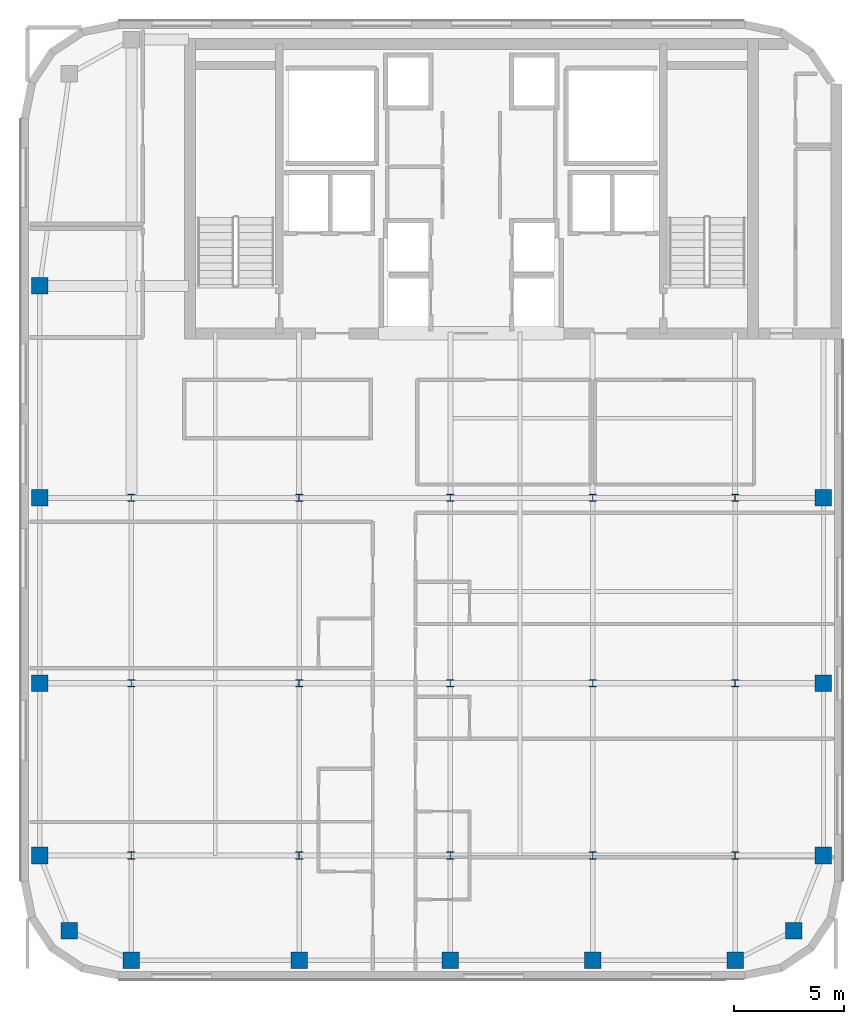
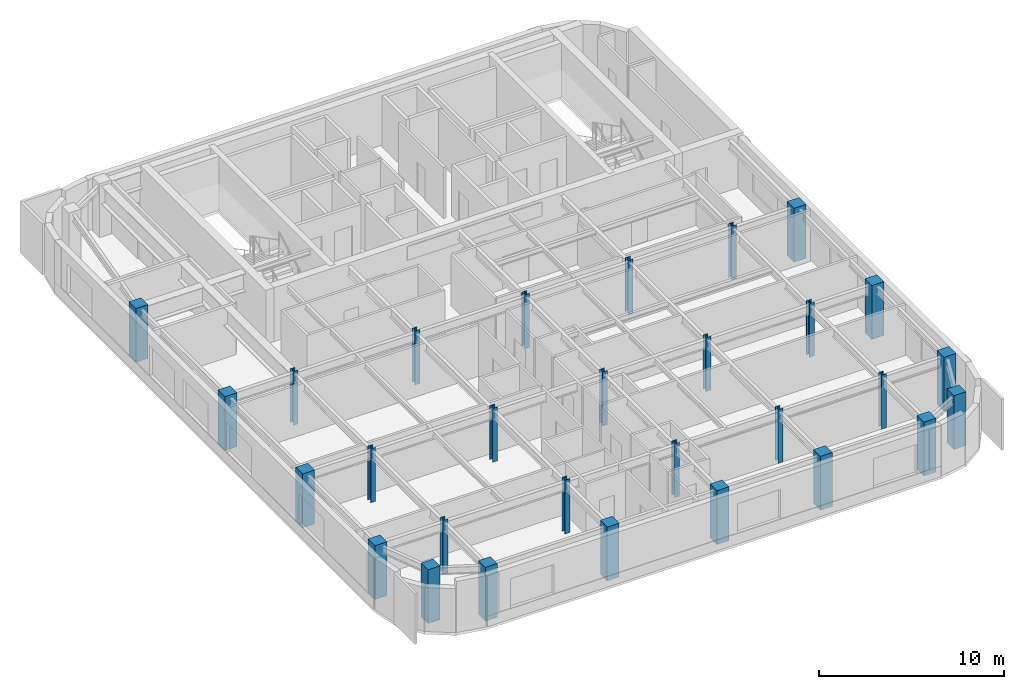
# One storey, part 1 of 11: 29 columns.
"""IFC4 building model written with IfcOpenShell, lengths in metres."""

from ifc_helpers import new_model, si_unit, direction, frame, origin, origin_2d, place, context, subcontext, project, spatial, rectangle, i_section, extrude, source, transform, mapped, material, material_profile, profile_set, type_object, type_shapes, element, save


model = new_model("IFC4")

# Units and contexts
model_context = context("Model", 3, precision=1e-05, world=origin(), true_north=direction((0.0, 1.0)))
body_context = subcontext(model_context, "Body", "Model", "MODEL_VIEW")
ifc_project = project(units=[si_unit("LENGTHUNIT", "METRE"), si_unit("AREAUNIT", "SQUARE_METRE"), si_unit("VOLUMEUNIT", "CUBIC_METRE"), si_unit("PLANEANGLEUNIT", "RADIAN"), si_unit("MASSUNIT", "GRAM", prefix="KILO")], contexts=[model_context])

# Site, building, storey
site_placement = place(None, origin())
site = spatial("IfcSite", under=ifc_project, at=site_placement, CompositionType="ELEMENT")
building_placement = place(site_placement, origin())
building = spatial("IfcBuilding", under=site, at=building_placement, Name="Tolvann Quenvar Hotel", CompositionType="ELEMENT")
storey_placement = place(building_placement, frame((0.0, 0.0, 234.550048828125)))
storey = spatial("IfcBuildingStorey", under=building, at=storey_placement, Name="L62", CompositionType="ELEMENT", Elevation=234.550048828125)

# Columns
ifc_material_1 = material(Name="Concrete N50 (50 MPa)", Category="concrete")
ifc_material_profile_1 = material_profile(ifc_material_1, rectangle(XDim=0.75, YDim=0.75, at=origin_2d()), Name="RC750x750")
ifc_profile_set_1 = profile_set([ifc_material_profile_1], Name="Concrete N50 (50 MPa)")
column_type_1 = type_object("IfcColumnType", Name="COL_RC750", PredefinedType="COLUMN", material=ifc_profile_set_1)
shared_shape_1 = source(origin(), body_context, "Body", "SweptSolid", [
    extrude(rectangle(XDim=0.75, YDim=0.75, at=origin_2d()), origin(), (0.0, 0.0, 1.0), 3.550048828125),
])
type_shapes(column_type_1, [shared_shape_1])
for number, where, z_axis, x_axis, name in (
    (1, (4.800048828125, 4.800048828125, 0.0), (0.0, 0.0, 1.0), (1.0, 0.0, 0.0), "Column B2 (L62)"),
    (2, (3.449951171875, 8.199951171875, 0.0), (0.0, 0.0, 1.0), (1.0, 0.0, 0.0), "Column B3 (L62)"),
    (3, (3.449951171875, 16.0, 0.0), (0.0, 0.0, 1.0), (1.0, 0.0, 0.0), "Column B4 (L62)"),
    (4, (3.449951171875, 24.39990234375, 0.0), (0.0, 0.0, 1.0), (1.0, 0.0, 0.0), "Column B5 (L62)"),
    (5, (7.60009765625, 3.449951171875, 0.0), (0.0, 0.0, 1.0), (1.0, 0.0, 0.0), "Column C2 (L62)"),
    (6, (15.199951171875, 3.449951171875, 0.0), (0.0, 0.0, 1.0), (1.0, 0.0, 0.0), "Column D2 (L62)"),
    (7, (22.050048828125, 3.449951171875, 0.0), (0.0, 0.0, 1.0), (1.0, 0.0, 0.0), "Column E2 (L62)"),
    (8, (28.5, 3.449951171875, 0.0), (0.0, 0.0, 1.0), (1.0, 0.0, 0.0), "Column M2 (L62)"),
    (9, (34.949951171875, 3.449951171875, 0.0), (0.0, 0.0, 1.0), (1.0, 0.0, 0.0), "Column F2 (L62)"),
    (10, (37.60009765625, 4.800048828125, 0.0), (0.0, 0.0, 1.0), (1.0, 0.0, 0.0), "Column G2 (L62)"),
    (11, (38.949951171875, 8.199951171875, 0.0), (0.0, 0.0, 1.0), (1.0, 0.0, 0.0), "Column G3 (L62)"),
    (12, (38.949951171875, 16.0, 0.0), (0.0, 0.0, 1.0), (1.0, 0.0, 0.0), "Column G4 (L62)"),
    (13, (38.949951171875, 24.39990234375, 0.0), (0.0, 0.0, 1.0), (1.0, 0.0, 0.0), "Column G5 (L62)"),
    (14, (3.449951171875, 34.0, 0.0), (0.0, 0.0, 1.0), (1.0, 0.0, 0.0), "Column BD6 (L62)"),
):
    element("IfcColumn", number, at=place(storey_placement, frame(where, z_axis=z_axis, x_axis=x_axis)), inside=storey, type_object=column_type_1, Name=name, PredefinedType="COLUMN", context=body_context, shape_type="MappedRepresentation", body=[
        mapped(shared_shape_1, transform((0.0, 0.0, 0.0), x_axis=(1.0, 0.0, 0.0), y_axis=(0.0, 1.0, 0.0), z_axis=(0.0, 0.0, 1.0), scale=1.0)),
    ])
ifc_material_2 = material(Name="Steel Grade 350", Category="steel")
ifc_material_profile_2 = material_profile(ifc_material_2, i_section(OverallWidth=0.31103515625, OverallDepth=0.326904296875, WebThickness=0.015625, FlangeThickness=0.02490234375, FilletRadius=0.0166015625, at=origin_2d()), Name="310UC158")
ifc_profile_set_2 = profile_set([ifc_material_profile_2], Name="Steel Grade 350")
column_type_2 = type_object("IfcColumnType", Name="COL_310UC158", PredefinedType="COLUMN", material=ifc_profile_set_2)
shared_shape_2 = source(origin(), body_context, "Body", "SweptSolid", [
    extrude(i_section(OverallWidth=0.31103515625, OverallDepth=0.326904296875, WebThickness=0.015625, FlangeThickness=0.02490234375, FilletRadius=0.0166015625, at=origin_2d()), origin(), (0.0, 0.0, 1.0), 3.550048828125),
])
type_shapes(column_type_2, [shared_shape_2])
for number, where, z_axis, x_axis, name in (
    (15, (7.60009765625, 8.199951171875, 0.0), (0.0, 0.0, 1.0), (1.0, 0.0, 0.0), "Column C3 (L62)"),
    (16, (7.60009765625, 16.0, 0.0), (0.0, 0.0, 1.0), (1.0, 0.0, 0.0), "Column C4 (L62)"),
    (17, (7.60009765625, 24.39990234375, 0.0), (0.0, 0.0, 1.0), (1.0, 0.0, 0.0), "Column C5 (L62)"),
    (18, (15.199951171875, 8.199951171875, 0.0), (0.0, 0.0, 1.0), (1.0, 0.0, 0.0), "Column D3 (L62)"),
    (19, (15.199951171875, 16.0, 0.0), (0.0, 0.0, 1.0), (1.0, 0.0, 0.0), "Column D4 (L62)"),
    (20, (15.199951171875, 24.39990234375, 0.0), (0.0, 0.0, 1.0), (1.0, 0.0, 0.0), "Column D5 (L62)"),
    (21, (22.050048828125, 8.199951171875, 0.0), (0.0, 0.0, 1.0), (1.0, 0.0, 0.0), "Column E3 (L62)"),
    (22, (22.050048828125, 16.0, 0.0), (0.0, 0.0, 1.0), (1.0, 0.0, 0.0), "Column E4 (L62)"),
    (23, (22.050048828125, 24.39990234375, 0.0), (0.0, 0.0, 1.0), (1.0, 0.0, 0.0), "Column E5 (L62)"),
    (24, (28.5, 8.199951171875, 0.0), (0.0, 0.0, 1.0), (1.0, 0.0, 0.0), "Column M3 (L62)"),
    (25, (28.5, 16.0, 0.0), (0.0, 0.0, 1.0), (1.0, 0.0, 0.0), "Column M4 (L62)"),
    (26, (28.5, 24.39990234375, 0.0), (0.0, 0.0, 1.0), (1.0, 0.0, 0.0), "Column M5 (L62)"),
    (27, (34.949951171875, 8.199951171875, 0.0), (0.0, 0.0, 1.0), (1.0, 0.0, 0.0), "Column F3 (L62)"),
    (28, (34.949951171875, 16.0, 0.0), (0.0, 0.0, 1.0), (1.0, 0.0, 0.0), "Column F4 (L62)"),
    (29, (34.949951171875, 24.39990234375, 0.0), (0.0, 0.0, 1.0), (1.0, 0.0, 0.0), "Column F5 (L62)"),
):
    element("IfcColumn", number, at=place(storey_placement, frame(where, z_axis=z_axis, x_axis=x_axis)), inside=storey, type_object=column_type_2, Name=name, PredefinedType="COLUMN", context=body_context, shape_type="MappedRepresentation", body=[
        mapped(shared_shape_2, transform((0.0, 0.0, 0.0), x_axis=(1.0, 0.0, 0.0), y_axis=(0.0, 1.0, 0.0), z_axis=(0.0, 0.0, 1.0), scale=1.0)),
    ])

save(model, "model.ifc")
